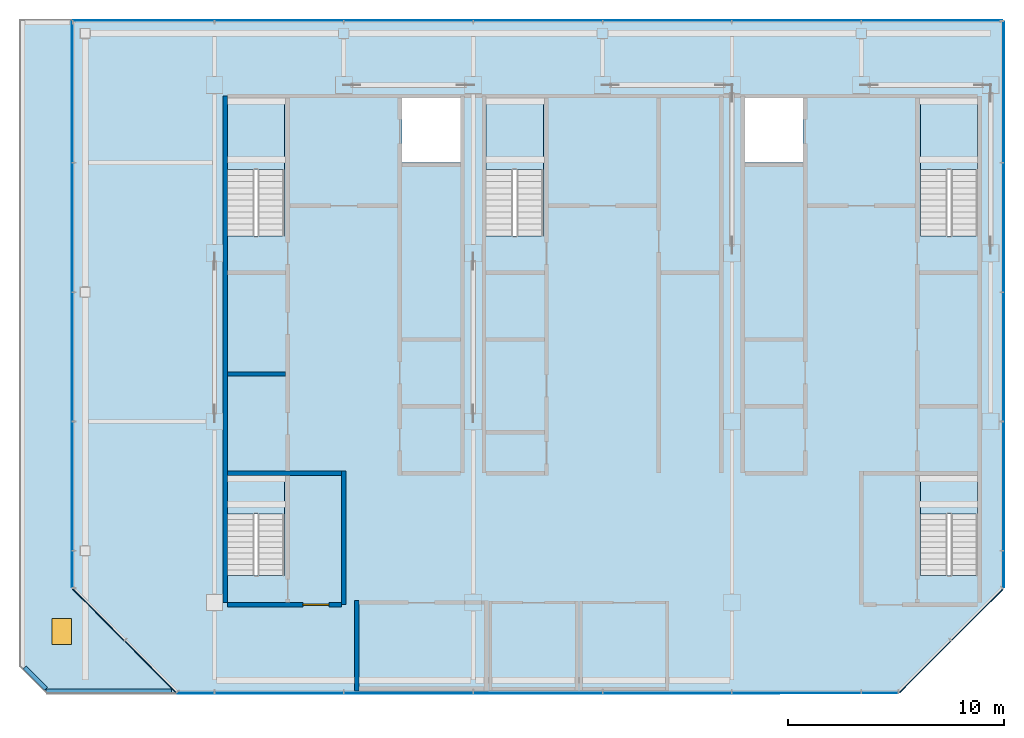
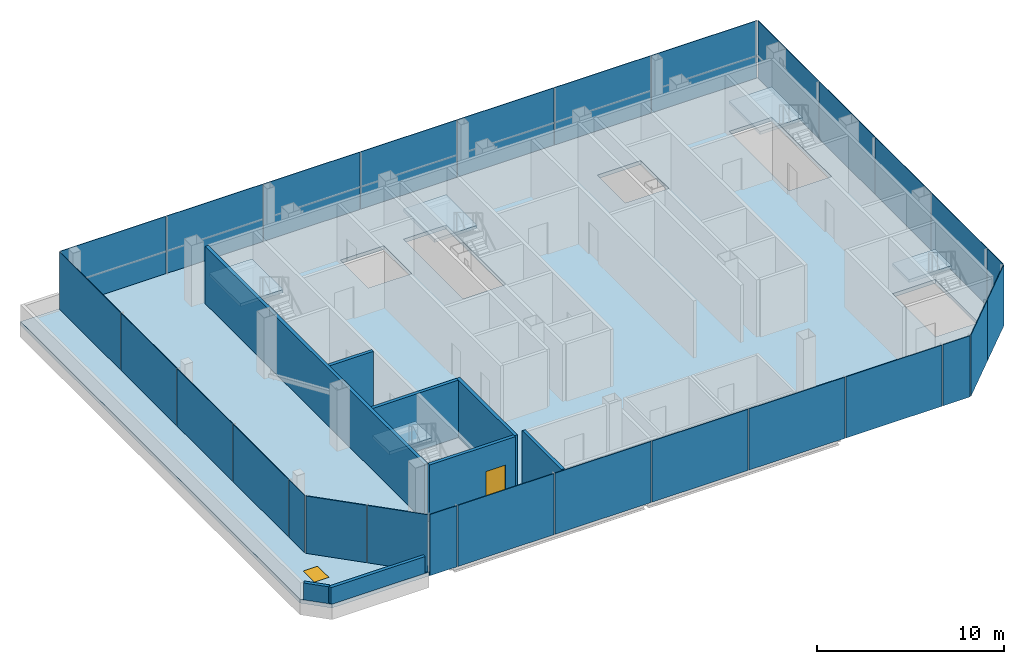
# One storey, part 7 of 11: 28 plates, 8 walls, 7 slabs, 1 door, 1 window, 2 openings, 11 elements without a shape of their own.
"""IFC4 building model written with IfcOpenShell, lengths in metres."""

from ifc_helpers import new_model, si_unit, direction, frame, frame_2d, origin, origin_2d, place, context, subcontext, project, spatial, polyline, rectangle, outline, extrude, material, layer, layer_set, type_object, element, fill, aggregate, save


model = new_model("IFC4")

# Units and contexts
model_context = context("Model", 3, precision=1e-05, world=origin(), true_north=direction((0.0, 1.0)))
body_context = subcontext(model_context, "Body", "Model", "MODEL_VIEW")
ifc_project = project(units=[si_unit("LENGTHUNIT", "METRE"), si_unit("AREAUNIT", "SQUARE_METRE"), si_unit("VOLUMEUNIT", "CUBIC_METRE"), si_unit("PLANEANGLEUNIT", "RADIAN"), si_unit("MASSUNIT", "GRAM", prefix="KILO")], contexts=[model_context])

# Site, building, storey
site_placement = place(None, origin())
site = spatial("IfcSite", under=ifc_project, at=site_placement, CompositionType="ELEMENT")
building_placement = place(site_placement, origin())
building = spatial("IfcBuilding", under=site, at=building_placement, Name="Sorahane Residences", CompositionType="ELEMENT")
storey_placement = place(building_placement, frame((0.0, 0.0, 349.800048828125)))
storey = spatial("IfcBuildingStorey", under=building, at=storey_placement, Name="L83", CompositionType="ELEMENT", Elevation=349.800048828125)

# Slab
ifc_material_1 = material(Name="Concrete C35", Category="concrete")
ifc_layer_1 = layer(ifc_material_1, 0.25)
ifc_layer_set_1 = layer_set([ifc_layer_1], Name="Composite floor slab 250 mm Concrete C35")
slab_type_1 = type_object("IfcSlabType", Name="Composite floor slab 250 mm Concrete C35", PredefinedType="FLOOR", material=ifc_layer_set_1)
slab_1_placement = place(storey_placement, frame((0.0, 0.0, -0.25)))
element("IfcSlab", 1, at=slab_1_placement, inside=storey, type_object=slab_type_1, Name="Slab L83", PredefinedType="FLOOR", context=body_context, shape_type="SweptSolid", body=[
    extrude(outline(polyline([(4.25146484375, 17.39990234375), (-0.60009765625, 22.25146484375), (-0.60009765625, 48.60009765625), (42.60009765625, 48.60009765625), (42.60009765625, 22.25146484375), (37.74853515625, 17.39990234375), (4.25146484375, 17.39990234375)]), holes=[polyline([(30.60009765625, 42.0), (33.300048828125, 42.0), (33.300048828125, 45.0), (30.60009765625, 45.0), (30.60009765625, 42.0)]), polyline([(14.699951171875, 42.0), (17.39990234375, 42.0), (17.39990234375, 45.0), (14.699951171875, 45.0), (14.699951171875, 42.0)]), polyline([(9.25, 38.60009765625), (9.25, 45.0), (6.60009765625, 45.0), (6.60009765625, 38.60009765625), (9.25, 38.60009765625)]), polyline([(41.39990234375, 38.60009765625), (41.39990234375, 45.0), (38.75, 45.0), (38.75, 38.60009765625), (41.39990234375, 38.60009765625)]), polyline([(21.25, 38.60009765625), (21.25, 45.0), (18.60009765625, 45.0), (18.60009765625, 38.60009765625), (21.25, 38.60009765625)]), polyline([(9.25, 22.85009765625), (9.25, 27.5), (6.60009765625, 27.5), (6.60009765625, 22.85009765625), (9.25, 22.85009765625)]), polyline([(41.39990234375, 22.85009765625), (41.39990234375, 27.5), (38.75, 27.5), (38.75, 22.85009765625), (41.39990234375, 22.85009765625)])]), origin(), (0.0, 0.0, 1.0), 0.25),
])

# Curtain wall, plates
ifc_material_2 = material(Name="Dark low-e glass and black anodised aluminium", Category="aluminium")
curtain_wall_type = type_object("IfcCurtainWallType", Name="Curtain wall CW-6 Crown unitised wall", PredefinedType="NOTDEFINED", material=ifc_material_2)
curtain_wall_1_placement = place(storey_placement, origin())
curtain_wall_1 = element("IfcCurtainWall", 2, at=curtain_wall_1_placement, inside=storey, type_object=curtain_wall_type, Name="CW-6 curtain wall L83 S1", PredefinedType="NOTDEFINED")
ifc_material_3 = material(Name="Dark low-e glass with black ceramic frit", Category="glass")
ifc_layer_2 = layer(ifc_material_3, 0.0400390625)
ifc_layer_set_2 = layer_set([ifc_layer_2], Name="Curtain wall glass panel dark low-e crown with black frit spandrel band")
plate_type = type_object("IfcPlateType", Name="Curtain wall glass panel dark low-e crown with black frit spandrel band", PredefinedType="CURTAIN_PANEL", material=ifc_layer_set_2)
plate_1_placement = place(storey_placement, frame((5.13818359375, 17.39990234375, -0.25), z_axis=(0.0, 0.0, 1.0), x_axis=(1.0, 0.0, 0.0)))
plate_1 = element("IfcPlate", 3, at=plate_1_placement, type_object=plate_type, Name="CW-6 glass panel L83 S1.1", PredefinedType="CURTAIN_PANEL", context=body_context, shape_type="SweptSolid", body=[
    extrude(rectangle(XDim=1.673583984375, YDim=0.0400390625, at=origin_2d()), origin(), (0.0, 0.0, 1.0), 4.0),
])
plate_2_placement = place(storey_placement, frame((9.0, 17.39990234375, -0.25), z_axis=(0.0, 0.0, 1.0), x_axis=(1.0, 0.0, 0.0)))
plate_2 = element("IfcPlate", 4, at=plate_2_placement, type_object=plate_type, Name="CW-6 glass panel L83 S1.2", PredefinedType="CURTAIN_PANEL", context=body_context, shape_type="SweptSolid", body=[
    extrude(rectangle(XDim=5.949951171875, YDim=0.0400390625, at=origin_2d()), origin(), (0.0, 0.0, 1.0), 4.0),
])
plate_3_placement = place(storey_placement, frame((15.0, 17.39990234375, -0.25), z_axis=(0.0, 0.0, 1.0), x_axis=(1.0, 0.0, 0.0)))
plate_3 = element("IfcPlate", 5, at=plate_3_placement, type_object=plate_type, Name="CW-6 glass panel L83 S1.3", PredefinedType="CURTAIN_PANEL", context=body_context, shape_type="SweptSolid", body=[
    extrude(rectangle(XDim=5.949951171875, YDim=0.0400390625, at=origin_2d()), origin(), (0.0, 0.0, 1.0), 4.0),
])
plate_4_placement = place(storey_placement, frame((21.0, 17.39990234375, -0.25), z_axis=(0.0, 0.0, 1.0), x_axis=(1.0, 0.0, 0.0)))
plate_4 = element("IfcPlate", 6, at=plate_4_placement, type_object=plate_type, Name="CW-6 glass panel L83 S1.4", PredefinedType="CURTAIN_PANEL", context=body_context, shape_type="SweptSolid", body=[
    extrude(rectangle(XDim=5.949951171875, YDim=0.0400390625, at=origin_2d()), origin(), (0.0, 0.0, 1.0), 4.0),
])
plate_5_placement = place(storey_placement, frame((27.0, 17.39990234375, -0.25), z_axis=(0.0, 0.0, 1.0), x_axis=(1.0, 0.0, 0.0)))
plate_5 = element("IfcPlate", 7, at=plate_5_placement, type_object=plate_type, Name="CW-6 glass panel L83 S1.5", PredefinedType="CURTAIN_PANEL", context=body_context, shape_type="SweptSolid", body=[
    extrude(rectangle(XDim=5.949951171875, YDim=0.0400390625, at=origin_2d()), origin(), (0.0, 0.0, 1.0), 4.0),
])
plate_6_placement = place(storey_placement, frame((33.0, 17.39990234375, -0.25), z_axis=(0.0, 0.0, 1.0), x_axis=(1.0, 0.0, 0.0)))
plate_6 = element("IfcPlate", 8, at=plate_6_placement, type_object=plate_type, Name="CW-6 glass panel L83 S1.6", PredefinedType="CURTAIN_PANEL", context=body_context, shape_type="SweptSolid", body=[
    extrude(rectangle(XDim=5.949951171875, YDim=0.0400390625, at=origin_2d()), origin(), (0.0, 0.0, 1.0), 4.0),
])
plate_7_placement = place(storey_placement, frame((36.86181640625, 17.39990234375, -0.25), z_axis=(0.0, 0.0, 1.0), x_axis=(1.0, 0.0, 0.0)))
plate_7 = element("IfcPlate", 9, at=plate_7_placement, type_object=plate_type, Name="CW-6 glass panel L83 S1.7", PredefinedType="CURTAIN_PANEL", context=body_context, shape_type="SweptSolid", body=[
    extrude(rectangle(XDim=1.673583984375, YDim=0.0400390625, at=origin_2d()), origin(), (0.0, 0.0, 1.0), 4.0),
])
aggregate(curtain_wall_1, [plate_1, plate_2, plate_3, plate_4, plate_5, plate_6, plate_7])

curtain_wall_2_placement = place(storey_placement, origin())
curtain_wall_2 = element("IfcCurtainWall", 10, at=curtain_wall_2_placement, inside=storey, type_object=curtain_wall_type, Name="CW-6 curtain wall L83 SE1", PredefinedType="NOTDEFINED")
plate_8_placement = place(storey_placement, frame((38.97021484375, 18.621826171875, -0.25), z_axis=(0.0, 0.0, 1.0), x_axis=(0.707106781187, 0.707106781187, 0.0)))
plate_8 = element("IfcPlate", 11, at=plate_8_placement, type_object=plate_type, Name="CW-6 glass panel L83 SE1.1", PredefinedType="CURTAIN_PANEL", context=body_context, shape_type="SweptSolid", body=[
    extrude(rectangle(XDim=3.35546875, YDim=0.0400390625, at=origin_2d()), origin(), (0.0, 0.0, 1.0), 4.0),
])
plate_9_placement = place(storey_placement, frame((41.378173828125, 21.02978515625, -0.25), z_axis=(0.0, 0.0, 1.0), x_axis=(0.707106781187, 0.707106781187, 0.0)))
plate_9 = element("IfcPlate", 12, at=plate_9_placement, type_object=plate_type, Name="CW-6 glass panel L83 SE1.2", PredefinedType="CURTAIN_PANEL", context=body_context, shape_type="SweptSolid", body=[
    extrude(rectangle(XDim=3.35546875, YDim=0.0400390625, at=origin_2d()), origin(), (0.0, 0.0, 1.0), 4.0),
])
aggregate(curtain_wall_2, [plate_8, plate_9])

curtain_wall_3_placement = place(storey_placement, origin())
curtain_wall_3 = element("IfcCurtainWall", 13, at=curtain_wall_3_placement, inside=storey, type_object=curtain_wall_type, Name="CW-6 curtain wall L83 E1", PredefinedType="NOTDEFINED")
plate_10_placement = place(storey_placement, frame((42.60009765625, 23.13818359375, -0.25), z_axis=(0.0, 0.0, 1.0), x_axis=(0.0, 1.0, 0.0)))
plate_10 = element("IfcPlate", 14, at=plate_10_placement, type_object=plate_type, Name="CW-6 glass panel L83 E1.1", PredefinedType="CURTAIN_PANEL", context=body_context, shape_type="SweptSolid", body=[
    extrude(rectangle(XDim=1.673583984375, YDim=0.0400390625, at=origin_2d()), origin(), (0.0, 0.0, 1.0), 4.0),
])
plate_11_placement = place(storey_placement, frame((42.60009765625, 27.0, -0.25), z_axis=(0.0, 0.0, 1.0), x_axis=(0.0, 1.0, 0.0)))
plate_11 = element("IfcPlate", 15, at=plate_11_placement, type_object=plate_type, Name="CW-6 glass panel L83 E1.2", PredefinedType="CURTAIN_PANEL", context=body_context, shape_type="SweptSolid", body=[
    extrude(rectangle(XDim=5.949951171875, YDim=0.0400390625, at=origin_2d()), origin(), (0.0, 0.0, 1.0), 4.0),
])
plate_12_placement = place(storey_placement, frame((42.60009765625, 33.0, -0.25), z_axis=(0.0, 0.0, 1.0), x_axis=(0.0, 1.0, 0.0)))
plate_12 = element("IfcPlate", 16, at=plate_12_placement, type_object=plate_type, Name="CW-6 glass panel L83 E1.3", PredefinedType="CURTAIN_PANEL", context=body_context, shape_type="SweptSolid", body=[
    extrude(rectangle(XDim=5.949951171875, YDim=0.0400390625, at=origin_2d()), origin(), (0.0, 0.0, 1.0), 4.0),
])
plate_13_placement = place(storey_placement, frame((42.60009765625, 39.0, -0.25), z_axis=(0.0, 0.0, 1.0), x_axis=(0.0, 1.0, 0.0)))
plate_13 = element("IfcPlate", 17, at=plate_13_placement, type_object=plate_type, Name="CW-6 glass panel L83 E1.4", PredefinedType="CURTAIN_PANEL", context=body_context, shape_type="SweptSolid", body=[
    extrude(rectangle(XDim=5.949951171875, YDim=0.0400390625, at=origin_2d()), origin(), (0.0, 0.0, 1.0), 4.0),
])
plate_14_placement = place(storey_placement, frame((42.60009765625, 45.28759765625, -0.25), z_axis=(0.0, 0.0, 1.0), x_axis=(0.0, 1.0, 0.0)))
plate_14 = element("IfcPlate", 18, at=plate_14_placement, type_object=plate_type, Name="CW-6 glass panel L83 E1.5", PredefinedType="CURTAIN_PANEL", context=body_context, shape_type="SweptSolid", body=[
    extrude(rectangle(XDim=6.52490234375, YDim=0.0400390625, at=origin_2d()), origin(), (0.0, 0.0, 1.0), 4.0),
])
aggregate(curtain_wall_3, [plate_10, plate_11, plate_12, plate_13, plate_14])

curtain_wall_4_placement = place(storey_placement, origin())
curtain_wall_4 = element("IfcCurtainWall", 19, at=curtain_wall_4_placement, inside=storey, type_object=curtain_wall_type, Name="CW-6 curtain wall L83 N1", PredefinedType="NOTDEFINED")
plate_15_placement = place(storey_placement, frame((39.28759765625, 48.60009765625, -0.25), z_axis=(0.0, 0.0, 1.0), x_axis=(-1.0, 0.0, 0.0)))
plate_15 = element("IfcPlate", 20, at=plate_15_placement, type_object=plate_type, Name="CW-6 glass panel L83 N1.1", PredefinedType="CURTAIN_PANEL", context=body_context, shape_type="SweptSolid", body=[
    extrude(rectangle(XDim=6.52490234375, YDim=0.0400390625, at=origin_2d()), origin(), (0.0, 0.0, 1.0), 4.0),
])
plate_16_placement = place(storey_placement, frame((33.0, 48.60009765625, -0.25), z_axis=(0.0, 0.0, 1.0), x_axis=(-1.0, 0.0, 0.0)))
plate_16 = element("IfcPlate", 21, at=plate_16_placement, type_object=plate_type, Name="CW-6 glass panel L83 N1.2", PredefinedType="CURTAIN_PANEL", context=body_context, shape_type="SweptSolid", body=[
    extrude(rectangle(XDim=5.949951171875, YDim=0.0400390625, at=origin_2d()), origin(), (0.0, 0.0, 1.0), 4.0),
])
plate_17_placement = place(storey_placement, frame((27.0, 48.60009765625, -0.25), z_axis=(0.0, 0.0, 1.0), x_axis=(-1.0, 0.0, 0.0)))
plate_17 = element("IfcPlate", 22, at=plate_17_placement, type_object=plate_type, Name="CW-6 glass panel L83 N1.3", PredefinedType="CURTAIN_PANEL", context=body_context, shape_type="SweptSolid", body=[
    extrude(rectangle(XDim=5.949951171875, YDim=0.0400390625, at=origin_2d()), origin(), (0.0, 0.0, 1.0), 4.0),
])
plate_18_placement = place(storey_placement, frame((21.0, 48.60009765625, -0.25), z_axis=(0.0, 0.0, 1.0), x_axis=(-1.0, 0.0, 0.0)))
plate_18 = element("IfcPlate", 23, at=plate_18_placement, type_object=plate_type, Name="CW-6 glass panel L83 N1.4", PredefinedType="CURTAIN_PANEL", context=body_context, shape_type="SweptSolid", body=[
    extrude(rectangle(XDim=5.949951171875, YDim=0.0400390625, at=origin_2d()), origin(), (0.0, 0.0, 1.0), 4.0),
])
plate_19_placement = place(storey_placement, frame((15.0, 48.60009765625, -0.25), z_axis=(0.0, 0.0, 1.0), x_axis=(-1.0, 0.0, 0.0)))
plate_19 = element("IfcPlate", 24, at=plate_19_placement, type_object=plate_type, Name="CW-6 glass panel L83 N1.5", PredefinedType="CURTAIN_PANEL", context=body_context, shape_type="SweptSolid", body=[
    extrude(rectangle(XDim=5.949951171875, YDim=0.0400390625, at=origin_2d()), origin(), (0.0, 0.0, 1.0), 4.0),
])
plate_20_placement = place(storey_placement, frame((9.0, 48.60009765625, -0.25), z_axis=(0.0, 0.0, 1.0), x_axis=(-1.0, 0.0, 0.0)))
plate_20 = element("IfcPlate", 25, at=plate_20_placement, type_object=plate_type, Name="CW-6 glass panel L83 N1.6", PredefinedType="CURTAIN_PANEL", context=body_context, shape_type="SweptSolid", body=[
    extrude(rectangle(XDim=5.949951171875, YDim=0.0400390625, at=origin_2d()), origin(), (0.0, 0.0, 1.0), 4.0),
])
plate_21_placement = place(storey_placement, frame((2.71240234375, 48.60009765625, -0.25), z_axis=(0.0, 0.0, 1.0), x_axis=(-1.0, 0.0, 0.0)))
plate_21 = element("IfcPlate", 26, at=plate_21_placement, type_object=plate_type, Name="CW-6 glass panel L83 N1.7", PredefinedType="CURTAIN_PANEL", context=body_context, shape_type="SweptSolid", body=[
    extrude(rectangle(XDim=6.52490234375, YDim=0.0400390625, at=origin_2d()), origin(), (0.0, 0.0, 1.0), 4.0),
])
aggregate(curtain_wall_4, [plate_15, plate_16, plate_17, plate_18, plate_19, plate_20, plate_21])

curtain_wall_5_placement = place(storey_placement, origin())
curtain_wall_5 = element("IfcCurtainWall", 27, at=curtain_wall_5_placement, inside=storey, type_object=curtain_wall_type, Name="CW-6 curtain wall L83 W1", PredefinedType="NOTDEFINED")
plate_22_placement = place(storey_placement, frame((-0.60009765625, 45.28759765625, -0.25), z_axis=(0.0, 0.0, 1.0), x_axis=(0.0, -1.0, 0.0)))
plate_22 = element("IfcPlate", 28, at=plate_22_placement, type_object=plate_type, Name="CW-6 glass panel L83 W1.1", PredefinedType="CURTAIN_PANEL", context=body_context, shape_type="SweptSolid", body=[
    extrude(rectangle(XDim=6.52490234375, YDim=0.0400390625, at=origin_2d()), origin(), (0.0, 0.0, 1.0), 4.0),
])
plate_23_placement = place(storey_placement, frame((-0.60009765625, 39.0, -0.25), z_axis=(0.0, 0.0, 1.0), x_axis=(0.0, -1.0, 0.0)))
plate_23 = element("IfcPlate", 29, at=plate_23_placement, type_object=plate_type, Name="CW-6 glass panel L83 W1.2", PredefinedType="CURTAIN_PANEL", context=body_context, shape_type="SweptSolid", body=[
    extrude(rectangle(XDim=5.949951171875, YDim=0.0400390625, at=origin_2d()), origin(), (0.0, 0.0, 1.0), 4.0),
])
plate_24_placement = place(storey_placement, frame((-0.60009765625, 33.0, -0.25), z_axis=(0.0, 0.0, 1.0), x_axis=(0.0, -1.0, 0.0)))
plate_24 = element("IfcPlate", 30, at=plate_24_placement, type_object=plate_type, Name="CW-6 glass panel L83 W1.3", PredefinedType="CURTAIN_PANEL", context=body_context, shape_type="SweptSolid", body=[
    extrude(rectangle(XDim=5.949951171875, YDim=0.0400390625, at=origin_2d()), origin(), (0.0, 0.0, 1.0), 4.0),
])
plate_25_placement = place(storey_placement, frame((-0.60009765625, 27.0, -0.25), z_axis=(0.0, 0.0, 1.0), x_axis=(0.0, -1.0, 0.0)))
plate_25 = element("IfcPlate", 31, at=plate_25_placement, type_object=plate_type, Name="CW-6 glass panel L83 W1.4", PredefinedType="CURTAIN_PANEL", context=body_context, shape_type="SweptSolid", body=[
    extrude(rectangle(XDim=5.949951171875, YDim=0.0400390625, at=origin_2d()), origin(), (0.0, 0.0, 1.0), 4.0),
])
plate_26_placement = place(storey_placement, frame((-0.60009765625, 23.13818359375, -0.25), z_axis=(0.0, 0.0, 1.0), x_axis=(0.0, -1.0, 0.0)))
plate_26 = element("IfcPlate", 32, at=plate_26_placement, type_object=plate_type, Name="CW-6 glass panel L83 W1.5", PredefinedType="CURTAIN_PANEL", context=body_context, shape_type="SweptSolid", body=[
    extrude(rectangle(XDim=1.673583984375, YDim=0.0400390625, at=origin_2d()), origin(), (0.0, 0.0, 1.0), 4.0),
])
aggregate(curtain_wall_5, [plate_22, plate_23, plate_24, plate_25, plate_26])

curtain_wall_6_placement = place(storey_placement, origin())
curtain_wall_6 = element("IfcCurtainWall", 33, at=curtain_wall_6_placement, inside=storey, type_object=curtain_wall_type, Name="CW-6 curtain wall L83 SW1", PredefinedType="NOTDEFINED")
plate_27_placement = place(storey_placement, frame((0.621826171875, 21.02978515625, -0.25), z_axis=(0.0, 0.0, 1.0), x_axis=(0.707106781187, -0.707106781187, 0.0)))
plate_27 = element("IfcPlate", 34, at=plate_27_placement, type_object=plate_type, Name="CW-6 glass panel L83 SW1.1", PredefinedType="CURTAIN_PANEL", context=body_context, shape_type="SweptSolid", body=[
    extrude(rectangle(XDim=3.35546875, YDim=0.0400390625, at=origin_2d()), origin(), (0.0, 0.0, 1.0), 4.0),
])
plate_28_placement = place(storey_placement, frame((3.02978515625, 18.621826171875, -0.25), z_axis=(0.0, 0.0, 1.0), x_axis=(0.707106781187, -0.707106781187, 0.0)))
plate_28 = element("IfcPlate", 35, at=plate_28_placement, type_object=plate_type, Name="CW-6 glass panel L83 SW1.2", PredefinedType="CURTAIN_PANEL", context=body_context, shape_type="SweptSolid", body=[
    extrude(rectangle(XDim=3.35546875, YDim=0.0400390625, at=origin_2d()), origin(), (0.0, 0.0, 1.0), 4.0),
])
aggregate(curtain_wall_6, [plate_27, plate_28])

# Slab, opening, window
ifc_material_4 = material(Name="Concrete C35", Category="concrete")
ifc_layer_3 = layer(ifc_material_4, 0.25)
ifc_layer_set_3 = layer_set([ifc_layer_3], Name="Roof terrace slab Concrete C35 paved 250")
slab_type_2 = type_object("IfcSlabType", Name="Roof terrace slab Concrete C35 paved 250", PredefinedType="ROOF", material=ifc_layer_set_3)
slab_2_placement = place(storey_placement, frame((0.0, 0.0, -0.25)))
slab_2 = element("IfcSlab", 36, at=slab_2_placement, inside=storey, type_object=slab_type_2, Name="Garden roof slab L83.1", PredefinedType="ROOF", context=body_context, shape_type="SweptSolid", body=[
    extrude(outline(polyline([(-0.60009765625, 48.60009765625), (-0.60009765625, 22.25146484375), (4.25146484375, 17.39990234375), (-1.74853515625, 17.39990234375), (-3.0, 18.651611328125), (-3.0, 48.60009765625), (-0.60009765625, 48.60009765625)])), origin(), (0.0, 0.0, 1.0), 0.25),
])
opening_1_placement = place(slab_2_placement, frame((-1.090087890625, 20.2509765625, 0.0)))
opening_1 = element("IfcOpeningElement", 37, at=opening_1_placement, cuts=slab_2, Name="Opening RH-1", PredefinedType="OPENING", context=body_context, shape_type="SweptSolid", body=[
    extrude(rectangle(XDim=0.89990234375, YDim=1.199951171875, at=origin_2d()), frame((0.0, 0.0, -0.010009765625)), (0.0, 0.0, 1.0), 0.27001953125),
])
ifc_material_5 = material(Name="Aluminium and glass", Category="aluminium")
window_type = type_object("IfcWindowType", Name="ROOF ACCESS HATCH aluminium 900x1200", PartitioningType="SINGLE_PANEL", PredefinedType="SKYLIGHT", material=ifc_material_5)
window_placement = place(opening_1_placement, frame((0.0, 0.0, 0.199951171875)))
window = element("IfcWindow", 38, at=window_placement, inside=storey, type_object=window_type, Name="Roof access hatch L83.1", OverallHeight=1.199951171875, OverallWidth=0.89990234375, PartitioningType="SINGLE_PANEL", PredefinedType="SKYLIGHT", context=body_context, shape_type="SweptSolid", body=[
    extrude(rectangle(XDim=0.89990234375, YDim=1.199951171875, at=origin_2d()), origin(), (0.0, 0.0, 1.0), 0.050048828125),
])
fill(opening_1, window)

# Stair, slab
ifc_material_6 = material(Name="Concrete C40", Category="concrete")
stair_type = type_object("IfcStairType", Name="Dog-leg stair 1250 Concrete C40", PredefinedType="HALF_TURN_STAIR", material=ifc_material_6)
stair_1_placement = place(storey_placement, origin())
stair_1 = element("IfcStair", 39, at=stair_1_placement, inside=storey, type_object=stair_type, Name="L83 Stair S1", PredefinedType="HALF_TURN_STAIR")
ifc_material_7 = material(Name="Concrete C40", Category="concrete")
ifc_layer_4 = layer(ifc_material_7, 0.199951171875)
ifc_layer_set_4 = layer_set([ifc_layer_4], Name="Stair landing 200 Concrete C40")
slab_type_3 = type_object("IfcSlabType", Name="Stair landing 200 Concrete C40", PredefinedType="LANDING", material=ifc_layer_set_4)
slab_3_placement = place(storey_placement, frame((0.0, 0.0, 1.800048828125)))
slab_3 = element("IfcSlab", 40, at=slab_3_placement, type_object=slab_type_3, Name="S1 landing 1", PredefinedType="LANDING", context=body_context, shape_type="SweptSolid", body=[
    extrude(outline(polyline([(9.25, 41.679931640625), (9.25, 45.0), (6.60009765625, 45.0), (6.60009765625, 41.679931640625), (9.25, 41.679931640625)])), origin(), (0.0, 0.0, 1.0), 0.199951171875),
])
aggregate(stair_1, [slab_3])

stair_2_placement = place(storey_placement, origin())
stair_2 = element("IfcStair", 41, at=stair_2_placement, inside=storey, type_object=stair_type, Name="L83 Stair S2", PredefinedType="HALF_TURN_STAIR")
slab_4_placement = place(storey_placement, frame((0.0, 0.0, 1.800048828125)))
slab_4 = element("IfcSlab", 42, at=slab_4_placement, type_object=slab_type_3, Name="S2 landing 1", PredefinedType="LANDING", context=body_context, shape_type="SweptSolid", body=[
    extrude(outline(polyline([(41.39990234375, 41.679931640625), (41.39990234375, 45.0), (38.75, 45.0), (38.75, 41.679931640625), (41.39990234375, 41.679931640625)])), origin(), (0.0, 0.0, 1.0), 0.199951171875),
])
aggregate(stair_2, [slab_4])

stair_3_placement = place(storey_placement, origin())
stair_3 = element("IfcStair", 43, at=stair_3_placement, inside=storey, type_object=stair_type, Name="L83 Stair S3", PredefinedType="HALF_TURN_STAIR")
slab_5_placement = place(storey_placement, frame((0.0, 0.0, 1.800048828125)))
slab_5 = element("IfcSlab", 44, at=slab_5_placement, type_object=slab_type_3, Name="S3 landing 1", PredefinedType="LANDING", context=body_context, shape_type="SweptSolid", body=[
    extrude(outline(polyline([(21.25, 41.679931640625), (21.25, 45.0), (18.60009765625, 45.0), (18.60009765625, 41.679931640625), (21.25, 41.679931640625)])), origin(), (0.0, 0.0, 1.0), 0.199951171875),
])
aggregate(stair_3, [slab_5])

stair_4_placement = place(storey_placement, origin())
stair_4 = element("IfcStair", 45, at=stair_4_placement, inside=storey, type_object=stair_type, Name="L83 Stair S4", PredefinedType="HALF_TURN_STAIR")
slab_6_placement = place(storey_placement, frame((0.0, 0.0, 1.800048828125)))
slab_6 = element("IfcSlab", 46, at=slab_6_placement, type_object=slab_type_3, Name="S4 landing 1", PredefinedType="LANDING", context=body_context, shape_type="SweptSolid", body=[
    extrude(outline(polyline([(9.25, 25.7099609375), (9.25, 27.5), (6.60009765625, 27.5), (6.60009765625, 25.7099609375), (9.25, 25.7099609375)])), origin(), (0.0, 0.0, 1.0), 0.199951171875),
])
aggregate(stair_4, [slab_6])

stair_5_placement = place(storey_placement, origin())
stair_5 = element("IfcStair", 47, at=stair_5_placement, inside=storey, type_object=stair_type, Name="L83 Stair S5", PredefinedType="HALF_TURN_STAIR")
slab_7_placement = place(storey_placement, frame((0.0, 0.0, 1.800048828125)))
slab_7 = element("IfcSlab", 48, at=slab_7_placement, type_object=slab_type_3, Name="S5 landing 1", PredefinedType="LANDING", context=body_context, shape_type="SweptSolid", body=[
    extrude(outline(polyline([(41.39990234375, 25.7099609375), (41.39990234375, 27.5), (38.75, 27.5), (38.75, 25.7099609375), (41.39990234375, 25.7099609375)])), origin(), (0.0, 0.0, 1.0), 0.199951171875),
])
aggregate(stair_5, [slab_7])

# Walls
ifc_material_8 = material(Name="Concrete C30", Category="concrete")
ifc_layer_5 = layer(ifc_material_8, 0.199951171875)
ifc_layer_set_5 = layer_set([ifc_layer_5], Name="Core face wall 200 EI 180")
wall_type_1 = type_object("IfcWallType", Name="Core face wall 200 EI 180", PredefinedType="SOLIDWALL", material=ifc_layer_set_5)
wall_1_placement = place(storey_placement, frame((6.5, 21.60009765625, 0.0), z_axis=(0.0, 0.0, 1.0), x_axis=(0.0, 1.0, 0.0)))
element("IfcWall", 49, at=wall_1_placement, inside=storey, type_object=wall_type_1, Name="L83 core face wall", PredefinedType="SOLIDWALL", context=body_context, shape_type="SweptSolid", body=[
    extrude(rectangle(XDim=23.5, YDim=0.199951171875, at=frame_2d((11.75, 0.0))), origin(), (0.0, 0.0, 1.0), 3.75),
])
ifc_material_9 = material(Name="Concrete C30", Category="concrete")
ifc_layer_6 = layer(ifc_material_9, 0.199951171875)
ifc_layer_set_6 = layer_set([ifc_layer_6], Name="Front room wall 200 EI 120")
wall_type_2 = type_object("IfcWallType", Name="Front room wall 200 EI 120", PredefinedType="PARTITIONING", material=ifc_layer_set_6)
wall_2_placement = place(storey_placement, frame((12.0, 21.5, 0.0), z_axis=(0.0, 0.0, 1.0), x_axis=(0.0, 1.0, 0.0)))
element("IfcWall", 50, at=wall_2_placement, inside=storey, type_object=wall_type_2, Name="L83 front room wall", PredefinedType="PARTITIONING", context=body_context, shape_type="SweptSolid", body=[
    extrude(rectangle(XDim=6.199951171875, YDim=0.199951171875, at=frame_2d((3.10009765625, 0.0))), origin(), (0.0, 0.0, 1.0), 3.75),
])
ifc_material_10 = material(Name="Concrete C35", Category="concrete")
ifc_layer_7 = layer(ifc_material_10, 0.199951171875)
ifc_layer_set_7 = layer_set([ifc_layer_7], Name="Parapet wall Concrete C35 200")
wall_type_3 = type_object("IfcWallType", Name="Parapet wall Concrete C35 200", PredefinedType="PARAPET", material=ifc_layer_set_7)
wall_3_placement = place(storey_placement, frame((4.010009765625, 17.5, 0.0), z_axis=(0.0, 0.0, 1.0), x_axis=(-1.0, 0.0, 0.0)))
element("IfcWall", 51, at=wall_3_placement, inside=storey, type_object=wall_type_3, Name="Roof parapet L83.1.1.1", PredefinedType="PARAPET", context=body_context, shape_type="SweptSolid", body=[
    extrude(rectangle(XDim=5.817138671875, YDim=0.199951171875, at=frame_2d((2.90869140625, 0.0))), origin(), (0.0, 0.0, 1.0), 1.099853515625),
])
wall_4_placement = place(storey_placement, frame((-1.8095703125, 17.6025390625, 0.0), z_axis=(0.0, 0.0, 1.0), x_axis=(-0.707194148429, 0.707019403148, 0.0)))
element("IfcWall", 52, at=wall_4_placement, inside=storey, type_object=wall_type_3, Name="Roof parapet L83.1.1.2", PredefinedType="PARAPET", context=body_context, shape_type="SweptSolid", body=[
    extrude(rectangle(XDim=1.397216796875, YDim=0.199951171875, at=frame_2d((0.69873046875, 0.0))), origin(), (0.0, 0.0, 1.0), 1.099853515625),
])
ifc_material_11 = material(Name="Concrete blockwork C20 wall", Category="masonry")
ifc_layer_8 = layer(ifc_material_11, 0.199951171875)
ifc_layer_set_8 = layer_set([ifc_layer_8], Name="Plant wall 200 EI 120")
wall_type_4 = type_object("IfcWallType", Name="Plant wall 200 EI 120", PredefinedType="SOLIDWALL", material=ifc_layer_set_8)
wall_5_placement = place(storey_placement, frame((12.60009765625, 17.5, 0.0), z_axis=(0.0, 0.0, 1.0), x_axis=(0.0, 1.0, 0.0)))
element("IfcWall", 53, at=wall_5_placement, inside=storey, type_object=wall_type_4, Name="L83 plant wall", PredefinedType="SOLIDWALL", context=body_context, shape_type="SweptSolid", body=[
    extrude(rectangle(XDim=4.199951171875, YDim=0.199951171875, at=frame_2d((2.10009765625, 0.0))), origin(), (0.0, 0.0, 1.0), 3.75),
])
ifc_material_12 = material(Name="Concrete C30", Category="concrete")
ifc_layer_9 = layer(ifc_material_12, 0.199951171875)
ifc_layer_set_9 = layer_set([ifc_layer_9], Name="Service room partition 200 EI 60")
wall_type_5 = type_object("IfcWallType", Name="Service room partition 200 EI 60", PredefinedType="PARTITIONING", material=ifc_layer_set_9)
wall_6_placement = place(storey_placement, frame((6.60009765625, 32.199951171875, 0.0), z_axis=(0.0, 0.0, 1.0), x_axis=(1.0, 0.0, 0.0)))
element("IfcWall", 54, at=wall_6_placement, inside=storey, type_object=wall_type_5, Name="L83 service room wall", PredefinedType="PARTITIONING", context=body_context, shape_type="SweptSolid", body=[
    extrude(rectangle(XDim=2.699951171875, YDim=0.199951171875, at=frame_2d((1.35009765625, 0.0))), origin(), (0.0, 0.0, 1.0), 3.75),
])

# Wall, opening, door
ifc_material_13 = material(Name="Concrete C30", Category="concrete")
ifc_layer_10 = layer(ifc_material_13, 0.199951171875)
ifc_layer_set_10 = layer_set([ifc_layer_10], Name="Stair enclosure wall 200 EI 120")
wall_type_6 = type_object("IfcWallType", Name="Stair enclosure wall 200 EI 120", PredefinedType="SOLIDWALL", material=ifc_layer_set_10)
wall_7_placement = place(storey_placement, frame((6.60009765625, 21.5, 0.0), z_axis=(0.0, 0.0, 1.0), x_axis=(1.0, 0.0, 0.0)))
wall_7 = element("IfcWall", 55, at=wall_7_placement, inside=storey, type_object=wall_type_6, Name="L83 stair enclosure wall", PredefinedType="SOLIDWALL", context=body_context, shape_type="SweptSolid", body=[
    extrude(rectangle(XDim=5.2998046875, YDim=0.199951171875, at=frame_2d((2.64990234375, 0.0))), origin(), (0.0, 0.0, 1.0), 3.75),
])
opening_2_placement = place(wall_7_placement, frame((3.5, 0.0, 0.0)))
opening_2 = element("IfcOpeningElement", 56, at=opening_2_placement, cuts=wall_7, Name="Opening L83-C01", PredefinedType="OPENING", context=body_context, shape_type="SweptSolid", body=[
    extrude(rectangle(XDim=1.199951171875, YDim=2.10009765625, at=frame_2d((0.60009765625, 1.050048828125))), frame((0.0, 0.10986328125, 0.0), z_axis=(0.0, -1.0, 0.0), x_axis=(1.0, 0.0, 0.0)), (0.0, 0.0, 1.0), 0.219970703125),
])
ifc_material_14 = material(Name="Steel", Category="steel")
door_type = type_object("IfcDoorType", Name="Stair front room door 1200x2100 FD120", OperationType="NOTDEFINED", PredefinedType="DOOR", material=ifc_material_14)
door_placement = place(opening_2_placement, frame((1.199951171875, 0.0, 0.0), z_axis=(0.0, 0.0, 1.0), x_axis=(-1.0, 0.0, 0.0)))
door = element("IfcDoor", 57, at=door_placement, inside=storey, type_object=door_type, Name="Stair front room door Stair S4 front room L83", OperationType="SINGLE_SWING_RIGHT", OverallHeight=2.10009765625, OverallWidth=1.199951171875, PredefinedType="DOOR", context=body_context, shape_type="SweptSolid", body=[
    extrude(rectangle(XDim=1.199951171875, YDim=2.10009765625, at=frame_2d((0.60009765625, 1.050048828125))), frame((0.0, 0.02490234375, 0.0), z_axis=(0.0, -1.0, 0.0), x_axis=(1.0, 0.0, 0.0)), (0.0, 0.0, 1.0), 0.050048828125),
])
fill(opening_2, door)

# Wall
wall_8_placement = place(storey_placement, frame((6.60009765625, 27.60009765625, 0.0), z_axis=(0.0, 0.0, 1.0), x_axis=(1.0, 0.0, 0.0)))
element("IfcWall", 58, at=wall_8_placement, inside=storey, type_object=wall_type_6, Name="L83 stair enclosure wall", PredefinedType="SOLIDWALL", context=body_context, shape_type="SweptSolid", body=[
    extrude(rectangle(XDim=5.2998046875, YDim=0.199951171875, at=frame_2d((2.64990234375, 0.0))), origin(), (0.0, 0.0, 1.0), 3.75),
])

save(model, "model.ifc")
